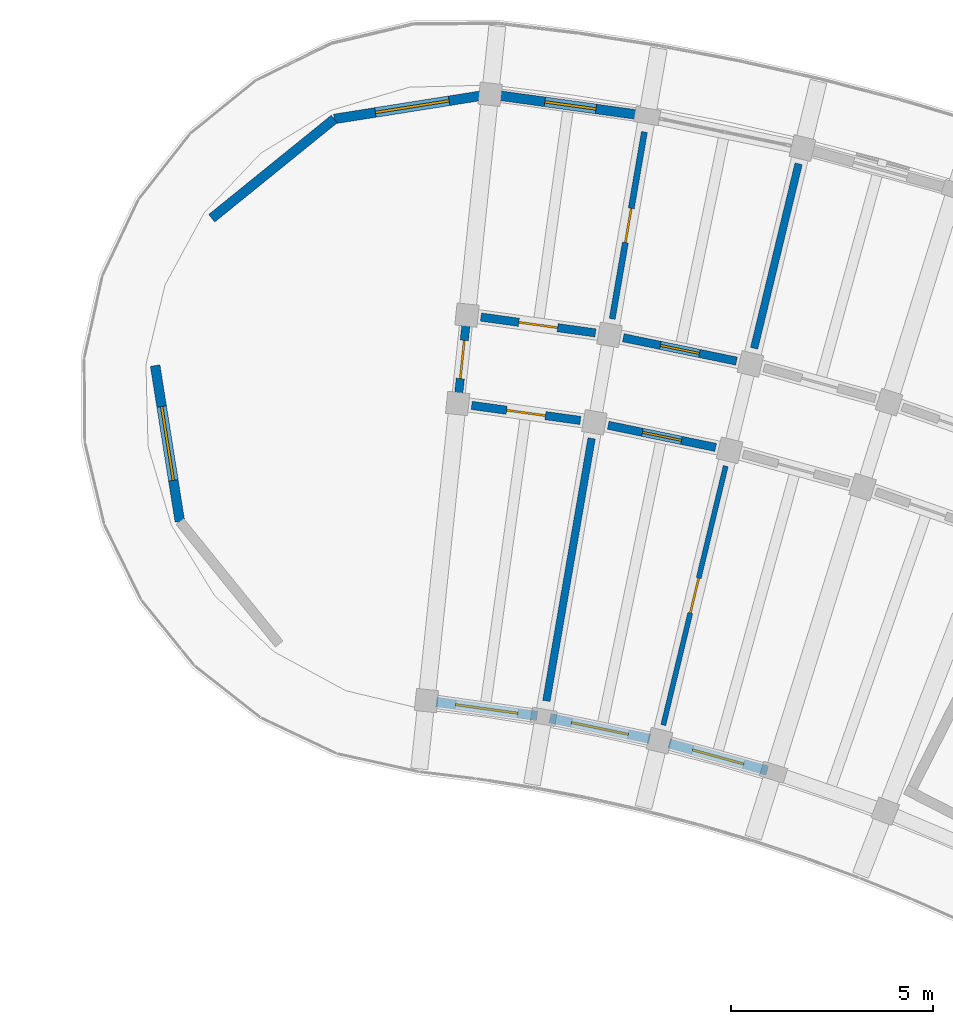
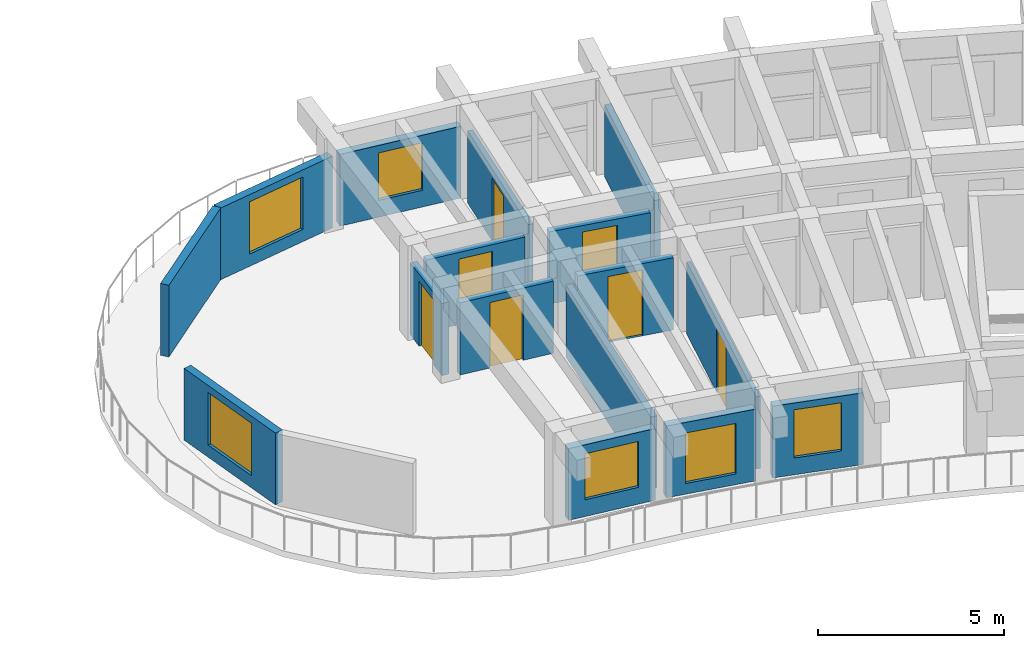
# One storey, part 65 of 96: 16 walls, 7 doors, 6 windows, 13 openings.
"""IFC4 building model written with IfcOpenShell, lengths in metres."""

from ifc_helpers import new_model, si_unit, direction, frame, frame_2d, origin, place, context, subcontext, project, spatial, rectangle, extrude, material, layer, layer_set, type_object, element, fill, save


model = new_model("IFC4")

# Units and contexts
model_context = context("Model", 3, precision=1e-05, world=origin(), true_north=direction((0.0, 1.0)))
body_context = subcontext(model_context, "Body", "Model", "MODEL_VIEW")
ifc_project = project(units=[si_unit("LENGTHUNIT", "METRE"), si_unit("AREAUNIT", "SQUARE_METRE"), si_unit("VOLUMEUNIT", "CUBIC_METRE"), si_unit("PLANEANGLEUNIT", "RADIAN"), si_unit("MASSUNIT", "GRAM", prefix="KILO")], contexts=[model_context])

# Site, building, storey
site_placement = place(None, origin())
site = spatial("IfcSite", under=ifc_project, at=site_placement, CompositionType="ELEMENT")
building_placement = place(site_placement, origin())
building = spatial("IfcBuilding", under=site, at=building_placement, Name="Tanwirah Colonnade Gardens", CompositionType="ELEMENT")
storey_placement = place(building_placement, frame((0.0, 0.0, 12.199951171875)))
storey = spatial("IfcBuildingStorey", under=building, at=storey_placement, Name="L03", CompositionType="ELEMENT", Elevation=12.199951171875)

# Wall, opening, window
ifc_material_1 = material(Name="Limestone architectural precast concrete C40/50", Category="masonry")
ifc_layer_1 = layer(ifc_material_1, 0.239990234375)
ifc_layer_set_1 = layer_set([ifc_layer_1], Name="Limestone architectural precast concrete C40/50")
wall_type_1 = type_object("IfcWallType", Name="EW-PC240", PredefinedType="SOLIDWALL", material=ifc_layer_set_1)
wall_1_placement = place(storey_placement, frame((134.0888671875, 102.674072265625, 0.0), z_axis=(0.0, 0.0, 1.0), x_axis=(-0.963901971286, 0.266257375017, 0.0)))
wall_1 = element("IfcWall", 1, at=wall_1_placement, inside=storey, type_object=wall_type_1, Name="Block B L03 IN Precast Facade Wall 15", PredefinedType="SOLIDWALL", context=body_context, shape_type="SweptSolid", body=[
    extrude(rectangle(XDim=2.525146484375, YDim=0.239990234375, at=frame_2d((1.2626953125, 0.0))), origin(), (0.0, 0.0, 1.0), 2.35498046875),
])
opening_1_placement = place(wall_1_placement, frame((0.6025390625, 0.0, 0.550048828125)))
opening_1 = element("IfcOpeningElement", 2, at=opening_1_placement, cuts=wall_1, Name="Opening WIN-U05", PredefinedType="OPENING", context=body_context, shape_type="SweptSolid", body=[
    extrude(rectangle(XDim=1.320068359375, YDim=1.5849609375, at=frame_2d((0.66015625, 0.79248046875))), frame((0.0, 0.1298828125, 0.0), z_axis=(0.0, -1.0, 0.0), x_axis=(1.0, 0.0, 0.0)), (0.0, 0.0, 1.0), 0.260009765625),
])
ifc_material_2 = material(Name="Thermally broken bronze aluminium and solar low-E double glazing", Category="aluminium")
window_type_1 = type_object("IfcWindowType", Name="WIN-U05", PartitioningType="DOUBLE_PANEL_VERTICAL", PredefinedType="WINDOW", material=ifc_material_2)
window_1_placement = place(opening_1_placement, origin())
window_1 = element("IfcWindow", 3, at=window_1_placement, inside=storey, type_object=window_type_1, Name="Facade window B-L03-IN-15", OverallHeight=1.5849609375, OverallWidth=1.320068359375, PartitioningType="SINGLE_PANEL", PredefinedType="WINDOW", context=body_context, shape_type="SweptSolid", body=[
    extrude(rectangle(XDim=1.320068359375, YDim=1.5849609375, at=frame_2d((0.66015625, 0.79248046875))), frame((0.0, 0.030029296875, 0.0), z_axis=(0.0, -1.0, 0.0), x_axis=(1.0, 0.0, 0.0)), (0.0, 0.0, 1.0), 0.06005859375),
])
fill(opening_1, window_1)

wall_2_placement = place(storey_placement, frame((131.1787109375, 103.46142578125, 0.0), z_axis=(0.0, 0.0, 1.0), x_axis=(-0.979353576928, 0.202154820272, 0.0)))
wall_2 = element("IfcWall", 4, at=wall_2_placement, inside=storey, type_object=wall_type_1, Name="Block B L03 IN Precast Facade Wall 16", PredefinedType="SOLIDWALL", context=body_context, shape_type="SweptSolid", body=[
    extrude(rectangle(XDim=2.525390625, YDim=0.239990234375, at=frame_2d((1.2626953125, 0.0))), origin(), (0.0, 0.0, 1.0), 2.35498046875),
])
opening_2_placement = place(wall_2_placement, frame((0.54248046875, 0.0, 0.35009765625)))
opening_2 = element("IfcOpeningElement", 5, at=opening_2_placement, cuts=wall_2, Name="Opening WIN-U08", PredefinedType="OPENING", context=body_context, shape_type="SweptSolid", body=[
    extrude(rectangle(XDim=1.43994140625, YDim=1.659912109375, at=frame_2d((0.719970703125, 0.830078125))), frame((0.0, 0.1298828125, 0.0), z_axis=(0.0, -1.0, 0.0), x_axis=(1.0, 0.0, 0.0)), (0.0, 0.0, 1.0), 0.260009765625),
])
window_type_2 = type_object("IfcWindowType", Name="WIN-U08", PartitioningType="DOUBLE_PANEL_VERTICAL", PredefinedType="WINDOW", material=ifc_material_2)
window_2_placement = place(opening_2_placement, origin())
window_2 = element("IfcWindow", 6, at=window_2_placement, inside=storey, type_object=window_type_2, Name="Facade window B-L03-IN-16", OverallHeight=1.659912109375, OverallWidth=1.43994140625, PartitioningType="SINGLE_PANEL", PredefinedType="WINDOW", context=body_context, shape_type="SweptSolid", body=[
    extrude(rectangle(XDim=1.43994140625, YDim=1.659912109375, at=frame_2d((0.719970703125, 0.830078125))), frame((0.0, 0.030029296875, 0.0), z_axis=(0.0, -1.0, 0.0), x_axis=(1.0, 0.0, 0.0)), (0.0, 0.0, 1.0), 0.06005859375),
])
fill(opening_2, window_2)

wall_3_placement = place(storey_placement, frame((130.954833984375, 118.906982421875, 0.0), z_axis=(0.0, 0.0, 1.0), x_axis=(-0.990539718913, 0.137226328578, 0.0)))
wall_3 = element("IfcWall", 7, at=wall_3_placement, inside=storey, type_object=wall_type_1, Name="Block B L03 OUT Precast Facade Wall 17", PredefinedType="SOLIDWALL", context=body_context, shape_type="SweptSolid", body=[
    extrude(rectangle(XDim=3.520751953125, YDim=0.239990234375, at=frame_2d((1.76025390625, 0.0))), origin(), (0.0, 0.0, 1.0), 2.35498046875),
])
opening_3_placement = place(wall_3_placement, frame((1.120361328125, 0.0, 0.550048828125)))
opening_3 = element("IfcOpeningElement", 8, at=opening_3_placement, cuts=wall_3, Name="Opening WIN-U04", PredefinedType="OPENING", context=body_context, shape_type="SweptSolid", body=[
    extrude(rectangle(XDim=1.280029296875, YDim=1.56005859375, at=frame_2d((0.64013671875, 0.780029296875))), frame((0.0, 0.1298828125, 0.0), z_axis=(0.0, -1.0, 0.0), x_axis=(1.0, 0.0, 0.0)), (0.0, 0.0, 1.0), 0.260009765625),
])
window_type_3 = type_object("IfcWindowType", Name="WIN-U04", PartitioningType="DOUBLE_PANEL_VERTICAL", PredefinedType="WINDOW", material=ifc_material_2)
window_3_placement = place(opening_3_placement, origin())
window_3 = element("IfcWindow", 9, at=window_3_placement, inside=storey, type_object=window_type_3, Name="Facade window B-L03-OUT-17", OverallHeight=1.56005859375, OverallWidth=1.280029296875, PartitioningType="SINGLE_PANEL", PredefinedType="WINDOW", context=body_context, shape_type="SweptSolid", body=[
    extrude(rectangle(XDim=1.280029296875, YDim=1.56005859375, at=frame_2d((0.64013671875, 0.780029296875))), frame((0.0, 0.030029296875, 0.0), z_axis=(0.0, -1.0, 0.0), x_axis=(1.0, 0.0, 0.0)), (0.0, 0.0, 1.0), 0.06005859375),
])
fill(opening_3, window_3)

wall_4_placement = place(storey_placement, frame((128.390380859375, 104.0263671875, 0.0), z_axis=(0.0, 0.0, 1.0), x_axis=(-0.990545622952, 0.13718370476, 0.0)))
wall_4 = element("IfcWall", 10, at=wall_4_placement, inside=storey, type_object=wall_type_1, Name="Block B L03 IN Precast Facade Wall 17", PredefinedType="SOLIDWALL", context=body_context, shape_type="SweptSolid", body=[
    extrude(rectangle(XDim=2.525390625, YDim=0.239990234375, at=frame_2d((1.2626953125, 0.0))), origin(), (0.0, 0.0, 1.0), 2.35498046875),
])
opening_4_placement = place(wall_4_placement, frame((0.482666015625, 0.0, 0.550048828125)))
opening_4 = element("IfcOpeningElement", 11, at=opening_4_placement, cuts=wall_4, Name="Opening WIN-U11", PredefinedType="OPENING", context=body_context, shape_type="SweptSolid", body=[
    extrude(rectangle(XDim=1.56005859375, YDim=1.510009765625, at=frame_2d((0.780029296875, 0.7548828125))), frame((0.0, 0.1298828125, 0.0), z_axis=(0.0, -1.0, 0.0), x_axis=(1.0, 0.0, 0.0)), (0.0, 0.0, 1.0), 0.260009765625),
])
window_type_4 = type_object("IfcWindowType", Name="WIN-U11", PartitioningType="DOUBLE_PANEL_VERTICAL", PredefinedType="WINDOW", material=ifc_material_2)
window_4_placement = place(opening_4_placement, origin())
window_4 = element("IfcWindow", 12, at=window_4_placement, inside=storey, type_object=window_type_4, Name="Facade window B-L03-IN-17", OverallHeight=1.510009765625, OverallWidth=1.56005859375, PartitioningType="SINGLE_PANEL", PredefinedType="WINDOW", context=body_context, shape_type="SweptSolid", body=[
    extrude(rectangle(XDim=1.56005859375, YDim=1.510009765625, at=frame_2d((0.780029296875, 0.7548828125))), frame((0.0, 0.030029296875, 0.0), z_axis=(0.0, -1.0, 0.0), x_axis=(1.0, 0.0, 0.0)), (0.0, 0.0, 1.0), 0.06005859375),
])
fill(opening_4, window_4)

wall_5_placement = place(storey_placement, frame((119.538330078125, 108.84423828125, 0.0), z_axis=(0.0, 0.0, 1.0), x_axis=(-0.15648221771, 0.987680776132, 0.0)))
wall_5 = element("IfcWall", 13, at=wall_5_placement, inside=storey, type_object=wall_type_1, Name="Block B L03 END Rounded End Wall 2", PredefinedType="SOLIDWALL", context=body_context, shape_type="SweptSolid", body=[
    extrude(rectangle(XDim=3.908203125, YDim=0.239990234375, at=frame_2d((1.9541015625, 0.0))), origin(), (0.0, 0.0, 1.0), 2.35498046875),
])
opening_5_placement = place(wall_5_placement, frame((1.029052734375, 0.0, 0.39990234375)))
opening_5 = element("IfcOpeningElement", 14, at=opening_5_placement, cuts=wall_5, Name="Opening WIN-END1", PredefinedType="OPENING", context=body_context, shape_type="SweptSolid", body=[
    extrude(rectangle(XDim=1.85009765625, YDim=1.719970703125, at=frame_2d((0.925048828125, 0.85986328125))), frame((0.0, 0.1298828125, 0.0), z_axis=(0.0, -1.0, 0.0), x_axis=(1.0, 0.0, 0.0)), (0.0, 0.0, 1.0), 0.260009765625),
])
window_type_5 = type_object("IfcWindowType", Name="WIN-END1", PartitioningType="TRIPLE_PANEL_VERTICAL", PredefinedType="WINDOW", material=ifc_material_2)
window_5_placement = place(opening_5_placement, origin())
window_5 = element("IfcWindow", 15, at=window_5_placement, inside=storey, type_object=window_type_5, Name="Rounded corner window B-L03-END-2", OverallHeight=1.719970703125, OverallWidth=1.85009765625, PartitioningType="SINGLE_PANEL", PredefinedType="WINDOW", context=body_context, shape_type="SweptSolid", body=[
    extrude(rectangle(XDim=1.85009765625, YDim=1.719970703125, at=frame_2d((0.925048828125, 0.85986328125))), frame((0.0, 0.030029296875, 0.0), z_axis=(0.0, -1.0, 0.0), x_axis=(1.0, 0.0, 0.0)), (0.0, 0.0, 1.0), 0.06005859375),
])
fill(opening_5, window_5)

# Wall
wall_6_placement = place(storey_placement, frame((120.327392578125, 116.35302734375, 0.0), z_axis=(0.0, 0.0, 1.0), x_axis=(0.777137204109, 0.629331205321, 0.0)))
element("IfcWall", 16, at=wall_6_placement, inside=storey, type_object=wall_type_1, Name="Block B L03 END Rounded End Wall 4", PredefinedType="SOLIDWALL", context=body_context, shape_type="SweptSolid", body=[
    extrude(rectangle(XDim=3.907958984375, YDim=0.239990234375, at=frame_2d((1.9541015625, 0.0))), origin(), (0.0, 0.0, 1.0), 2.35498046875),
])

# Wall, opening, window
wall_7_placement = place(storey_placement, frame((123.364501953125, 118.8125, 0.0), z_axis=(0.0, 0.0, 1.0), x_axis=(0.987690429048, 0.156421278498, 0.0)))
wall_7 = element("IfcWall", 17, at=wall_7_placement, inside=storey, type_object=wall_type_1, Name="Block B L03 END Rounded End Wall 5", PredefinedType="SOLIDWALL", context=body_context, shape_type="SweptSolid", body=[
    extrude(rectangle(XDim=3.908203125, YDim=0.239990234375, at=frame_2d((1.9541015625, 0.0))), origin(), (0.0, 0.0, 1.0), 2.35498046875),
])
opening_6_placement = place(wall_7_placement, frame((1.029052734375, 0.0, 0.39990234375)))
opening_6 = element("IfcOpeningElement", 18, at=opening_6_placement, cuts=wall_7, Name="Opening WIN-END1", PredefinedType="OPENING", context=body_context, shape_type="SweptSolid", body=[
    extrude(rectangle(XDim=1.85009765625, YDim=1.719970703125, at=frame_2d((0.925048828125, 0.85986328125))), frame((0.0, 0.1298828125, 0.0), z_axis=(0.0, -1.0, 0.0), x_axis=(1.0, 0.0, 0.0)), (0.0, 0.0, 1.0), 0.260009765625),
])
window_6_placement = place(opening_6_placement, origin())
window_6 = element("IfcWindow", 19, at=window_6_placement, inside=storey, type_object=window_type_5, Name="Rounded corner window B-L03-END-5", OverallHeight=1.719970703125, OverallWidth=1.85009765625, PartitioningType="SINGLE_PANEL", PredefinedType="WINDOW", context=body_context, shape_type="SweptSolid", body=[
    extrude(rectangle(XDim=1.85009765625, YDim=1.719970703125, at=frame_2d((0.925048828125, 0.85986328125))), frame((0.0, 0.030029296875, 0.0), z_axis=(0.0, -1.0, 0.0), x_axis=(1.0, 0.0, 0.0)), (0.0, 0.0, 1.0), 0.06005859375),
])
fill(opening_6, window_6)

# Wall, opening, door
ifc_material_3 = material(Name="Precast concrete C40/50", Category="concrete")
ifc_layer_2 = layer(ifc_material_3, 0.205078125)
ifc_layer_set_2 = layer_set([ifc_layer_2], Name="Precast concrete C40/50")
wall_type_2 = type_object("IfcWallType", Name="IW-CORR205", PredefinedType="PARTITIONING", material=ifc_layer_set_2)
wall_8_placement = place(storey_placement, frame((133.325927734375, 112.815185546875, 0.0), z_axis=(0.0, 0.0, 1.0), x_axis=(-0.979348418612, 0.202179808492, 0.0)))
wall_8 = element("IfcWall", 20, at=wall_8_placement, inside=storey, type_object=wall_type_2, Name="Block B L03 OUT Corridor Wall 16", PredefinedType="PARTITIONING", context=body_context, shape_type="SweptSolid", body=[
    extrude(rectangle(XDim=2.863037109375, YDim=0.205078125, at=frame_2d((1.431640625, 0.0))), origin(), (0.0, 0.0, 1.0), 2.3701171875),
])
opening_7_placement = place(wall_8_placement, frame((0.9365234375, 0.0, 0.0)))
opening_7 = element("IfcOpeningElement", 21, at=opening_7_placement, cuts=wall_8, Name="Opening L03-AD953", PredefinedType="OPENING", context=body_context, shape_type="SweptSolid", body=[
    extrude(rectangle(XDim=0.989990234375, YDim=2.159912109375, at=frame_2d((0.4951171875, 1.080078125))), frame((0.0, 0.112548828125, 0.0), z_axis=(0.0, -1.0, 0.0), x_axis=(1.0, 0.0, 0.0)), (0.0, 0.0, 1.0), 0.22509765625),
])
ifc_material_4 = material(Name="Solid oak fire-resisting apartment entrance door")
door_type_1 = type_object("IfcDoorType", Name="ID-FLT099", OperationType="NOTDEFINED", PredefinedType="DOOR", material=ifc_material_4)
door_1_placement = place(opening_7_placement, origin())
door_1 = element("IfcDoor", 22, at=door_1_placement, inside=storey, type_object=door_type_1, Name="Apartment corridor door L03-AD953", OperationType="SINGLE_SWING_RIGHT", OverallHeight=2.159912109375, OverallWidth=0.989990234375, PredefinedType="DOOR", context=body_context, shape_type="SweptSolid", body=[
    extrude(rectangle(XDim=0.989990234375, YDim=2.159912109375, at=frame_2d((0.4951171875, 1.080078125))), frame((0.0, 0.02490234375, 0.0), z_axis=(0.0, -1.0, 0.0), x_axis=(1.0, 0.0, 0.0)), (0.0, 0.0, 1.0), 0.050048828125),
])
fill(opening_7, door_1)

wall_9_placement = place(storey_placement, frame((132.810302734375, 110.676513671875, 0.0), z_axis=(0.0, 0.0, 1.0), x_axis=(-0.979349423541, 0.202174940608, 0.0)))
wall_9 = element("IfcWall", 23, at=wall_9_placement, inside=storey, type_object=wall_type_2, Name="Block B L03 IN Corridor Wall 16", PredefinedType="PARTITIONING", context=body_context, shape_type="SweptSolid", body=[
    extrude(rectangle(XDim=2.71826171875, YDim=0.205078125, at=frame_2d((1.359130859375, 0.0))), origin(), (0.0, 0.0, 1.0), 2.3701171875),
])
opening_8_placement = place(wall_9_placement, frame((0.864013671875, 0.0, 0.0)))
opening_8 = element("IfcOpeningElement", 24, at=opening_8_placement, cuts=wall_9, Name="Opening L03-AD954", PredefinedType="OPENING", context=body_context, shape_type="SweptSolid", body=[
    extrude(rectangle(XDim=0.989990234375, YDim=2.159912109375, at=frame_2d((0.4951171875, 1.080078125))), frame((0.0, 0.112548828125, 0.0), z_axis=(0.0, -1.0, 0.0), x_axis=(1.0, 0.0, 0.0)), (0.0, 0.0, 1.0), 0.22509765625),
])
door_2_placement = place(opening_8_placement, origin())
door_2 = element("IfcDoor", 25, at=door_2_placement, inside=storey, type_object=door_type_1, Name="Apartment corridor door L03-AD954", OperationType="SINGLE_SWING_LEFT", OverallHeight=2.159912109375, OverallWidth=0.989990234375, PredefinedType="DOOR", context=body_context, shape_type="SweptSolid", body=[
    extrude(rectangle(XDim=0.989990234375, YDim=2.159912109375, at=frame_2d((0.4951171875, 1.080078125))), frame((0.0, 0.02490234375, 0.0), z_axis=(0.0, -1.0, 0.0), x_axis=(1.0, 0.0, 0.0)), (0.0, 0.0, 1.0), 0.050048828125),
])
fill(opening_8, door_2)

wall_10_placement = place(storey_placement, frame((129.83251953125, 113.512939453125, 0.0), z_axis=(0.0, 0.0, 1.0), x_axis=(-0.990544162976, 0.137194246211, 0.0)))
wall_10 = element("IfcWall", 26, at=wall_10_placement, inside=storey, type_object=wall_type_2, Name="Block B L03 OUT Corridor Wall 17", PredefinedType="PARTITIONING", context=body_context, shape_type="SweptSolid", body=[
    extrude(rectangle(XDim=2.86328125, YDim=0.205078125, at=frame_2d((1.431640625, 0.0))), origin(), (0.0, 0.0, 1.0), 2.3701171875),
])
opening_9_placement = place(wall_10_placement, frame((0.946533203125, 0.0, 0.0)))
opening_9 = element("IfcOpeningElement", 27, at=opening_9_placement, cuts=wall_10, Name="Opening L03-AD956", PredefinedType="OPENING", context=body_context, shape_type="SweptSolid", body=[
    extrude(rectangle(XDim=0.969970703125, YDim=2.14990234375, at=frame_2d((0.48486328125, 1.074951171875))), frame((0.0, 0.112548828125, 0.0), z_axis=(0.0, -1.0, 0.0), x_axis=(1.0, 0.0, 0.0)), (0.0, 0.0, 1.0), 0.22509765625),
])
door_type_2 = type_object("IfcDoorType", Name="ID-FLT097", OperationType="NOTDEFINED", PredefinedType="DOOR", material=ifc_material_4)
door_3_placement = place(opening_9_placement, origin())
door_3 = element("IfcDoor", 28, at=door_3_placement, inside=storey, type_object=door_type_2, Name="Apartment corridor door L03-AD956", OperationType="SINGLE_SWING_LEFT", OverallHeight=2.14990234375, OverallWidth=0.969970703125, PredefinedType="DOOR", context=body_context, shape_type="SweptSolid", body=[
    extrude(rectangle(XDim=0.969970703125, YDim=2.14990234375, at=frame_2d((0.48486328125, 1.074951171875))), frame((0.0, 0.02490234375, 0.0), z_axis=(0.0, -1.0, 0.0), x_axis=(1.0, 0.0, 0.0)), (0.0, 0.0, 1.0), 0.050048828125),
])
fill(opening_9, door_3)

wall_11_placement = place(storey_placement, frame((129.458740234375, 111.344970703125, 0.0), z_axis=(0.0, 0.0, 1.0), x_axis=(-0.990535404475, 0.137257467855, 0.0)))
wall_11 = element("IfcWall", 29, at=wall_11_placement, inside=storey, type_object=wall_type_2, Name="Block B L03 IN Corridor Wall 17", PredefinedType="PARTITIONING", context=body_context, shape_type="SweptSolid", body=[
    extrude(rectangle(XDim=2.7177734375, YDim=0.205078125, at=frame_2d((1.35888671875, 0.0))), origin(), (0.0, 0.0, 1.0), 2.3701171875),
])
opening_10_placement = place(wall_11_placement, frame((0.8740234375, 0.0, 0.0)))
opening_10 = element("IfcOpeningElement", 30, at=opening_10_placement, cuts=wall_11, Name="Opening L03-AD957", PredefinedType="OPENING", context=body_context, shape_type="SweptSolid", body=[
    extrude(rectangle(XDim=0.969970703125, YDim=2.14990234375, at=frame_2d((0.48486328125, 1.074951171875))), frame((0.0, 0.112548828125, 0.0), z_axis=(0.0, -1.0, 0.0), x_axis=(1.0, 0.0, 0.0)), (0.0, 0.0, 1.0), 0.22509765625),
])
door_4_placement = place(opening_10_placement, origin())
door_4 = element("IfcDoor", 31, at=door_4_placement, inside=storey, type_object=door_type_2, Name="Apartment corridor door L03-AD957", OperationType="SINGLE_SWING_RIGHT", OverallHeight=2.14990234375, OverallWidth=0.969970703125, PredefinedType="DOOR", context=body_context, shape_type="SweptSolid", body=[
    extrude(rectangle(XDim=0.969970703125, YDim=2.14990234375, at=frame_2d((0.48486328125, 1.074951171875))), frame((0.0, 0.02490234375, 0.0), z_axis=(0.0, -1.0, 0.0), x_axis=(1.0, 0.0, 0.0)), (0.0, 0.0, 1.0), 0.050048828125),
])
fill(opening_10, door_4)

wall_12_placement = place(storey_placement, frame((126.425048828125, 111.815673828125, 0.0), z_axis=(0.0, 0.0, 1.0), x_axis=(0.104509292252, 0.994523910136, 0.0)))
wall_12 = element("IfcWall", 32, at=wall_12_placement, inside=storey, type_object=wall_type_2, Name="Block B L03 CE Corner Suite Corridor Wall", PredefinedType="PARTITIONING", context=body_context, shape_type="SweptSolid", body=[
    extrude(rectangle(XDim=2.10009765625, YDim=0.205078125, at=frame_2d((1.050048828125, 0.0))), origin(), (0.0, 0.0, 1.0), 2.3701171875),
])
opening_11_placement = place(wall_12_placement, frame((0.570068359375, 0.0, 0.0)))
opening_11 = element("IfcOpeningElement", 33, at=opening_11_placement, cuts=wall_12, Name="Opening L03-CD959", PredefinedType="OPENING", context=body_context, shape_type="SweptSolid", body=[
    extrude(rectangle(XDim=0.949951171875, YDim=2.1298828125, at=frame_2d((0.47509765625, 1.06494140625))), frame((0.0, 0.112548828125, 0.0), z_axis=(0.0, -1.0, 0.0), x_axis=(1.0, 0.0, 0.0)), (0.0, 0.0, 1.0), 0.22509765625),
])
door_type_3 = type_object("IfcDoorType", Name="ID-FLT095", OperationType="NOTDEFINED", PredefinedType="DOOR", material=ifc_material_4)
door_5_placement = place(opening_11_placement, origin())
door_5 = element("IfcDoor", 34, at=door_5_placement, inside=storey, type_object=door_type_3, Name="Corner suite entrance door L03-CD959", OperationType="SINGLE_SWING_RIGHT", OverallHeight=2.1298828125, OverallWidth=0.949951171875, PredefinedType="DOOR", context=body_context, shape_type="SweptSolid", body=[
    extrude(rectangle(XDim=0.949951171875, YDim=2.1298828125, at=frame_2d((0.47509765625, 1.06494140625))), frame((0.0, 0.02490234375, 0.0), z_axis=(0.0, -1.0, 0.0), x_axis=(1.0, 0.0, 0.0)), (0.0, 0.0, 1.0), 0.050048828125),
])
fill(opening_11, door_5)

# Walls
ifc_layer_3 = layer(ifc_material_3, 0.18505859375)
ifc_layer_set_3 = layer_set([ifc_layer_3], Name="Precast concrete C40/50")
wall_type_3 = type_object("IfcWallType", Name="IW-DEM185", PredefinedType="PARTITIONING", material=ifc_layer_set_3)
wall_13_placement = place(storey_placement, frame((133.762451171875, 113.13330078125, 0.0), z_axis=(0.0, 0.0, 1.0), x_axis=(0.234386624934, 0.972143461662, 0.0)))
element("IfcWall", 35, at=wall_13_placement, inside=storey, type_object=wall_type_3, Name="Block B L03 Radial Partition 15", PredefinedType="PARTITIONING", context=body_context, shape_type="SweptSolid", body=[
    extrude(rectangle(XDim=4.69970703125, YDim=0.18505859375, at=frame_2d((2.349853515625, 0.0))), origin(), (0.0, 0.0, 1.0), 2.3701171875),
])
wall_14_placement = place(storey_placement, frame((128.61669921875, 104.3984375, 0.0), z_axis=(0.0, 0.0, 1.0), x_axis=(0.169825160084, 0.985474208187, 0.0)))
element("IfcWall", 36, at=wall_14_placement, inside=storey, type_object=wall_type_3, Name="Block B L03 Inner Radial Partition 16", PredefinedType="PARTITIONING", context=body_context, shape_type="SweptSolid", body=[
    extrude(rectangle(XDim=6.60009765625, YDim=0.18505859375, at=frame_2d((3.300048828125, 0.0))), origin(), (0.0, 0.0, 1.0), 2.3701171875),
])

# Wall, opening, door
ifc_material_5 = material(Name="Moisture-resistant gypsum stud partition")
ifc_layer_4 = layer(ifc_material_5, 0.125)
ifc_layer_set_4 = layer_set([ifc_layer_4], Name="Moisture-resistant gypsum stud partition")
wall_type_4 = type_object("IfcWallType", Name="IW-INT125", PredefinedType="PARTITIONING", material=ifc_layer_set_4)
wall_15_placement = place(storey_placement, frame((131.51220703125, 103.800537109375, 0.0), z_axis=(0.0, 0.0, 1.0), x_axis=(0.234406698576, 0.972138621629, 0.0)))
wall_15 = element("IfcWall", 37, at=wall_15_placement, inside=storey, type_object=wall_type_4, Name="Block B L03 Inner Radial Partition 15", PredefinedType="PARTITIONING", context=body_context, shape_type="SweptSolid", body=[
    extrude(rectangle(XDim=6.60009765625, YDim=0.125, at=frame_2d((3.300048828125, 0.0))), origin(), (0.0, 0.0, 1.0), 2.3701171875),
])
opening_12_placement = place(wall_15_placement, frame((2.85498046875, 0.0, 0.0)))
opening_12 = element("IfcOpeningElement", 38, at=opening_12_placement, cuts=wall_15, Name="Opening L03-RD952", PredefinedType="OPENING", context=body_context, shape_type="SweptSolid", body=[
    extrude(rectangle(XDim=0.889892578125, YDim=2.10009765625, at=frame_2d((0.44482421875, 1.050048828125))), frame((0.0, 0.072509765625, 0.0), z_axis=(0.0, -1.0, 0.0), x_axis=(1.0, 0.0, 0.0)), (0.0, 0.0, 1.0), 0.14501953125),
])
ifc_material_6 = material(Name="Painted hardwood bedroom door", Category="wood")
door_type_4 = type_object("IfcDoorType", Name="ID-RM089", OperationType="NOTDEFINED", PredefinedType="DOOR", material=ifc_material_6)
door_6_placement = place(opening_12_placement, origin())
door_6 = element("IfcDoor", 39, at=door_6_placement, inside=storey, type_object=door_type_4, Name="Internal apartment door L03-RD952", OperationType="SINGLE_SWING_RIGHT", OverallHeight=2.10009765625, OverallWidth=0.889892578125, PredefinedType="DOOR", context=body_context, shape_type="SweptSolid", body=[
    extrude(rectangle(XDim=0.889892578125, YDim=2.10009765625, at=frame_2d((0.44482421875, 1.050048828125))), frame((0.0, 0.02490234375, 0.0), z_axis=(0.0, -1.0, 0.0), x_axis=(1.0, 0.0, 0.0)), (0.0, 0.0, 1.0), 0.050048828125),
])
fill(opening_12, door_6)

ifc_material_7 = material(Name="Water-resistant acoustic plumbing partition")
ifc_layer_5 = layer(ifc_material_7, 0.14990234375)
ifc_layer_set_5 = layer_set([ifc_layer_5], Name="Water-resistant acoustic plumbing partition")
wall_type_5 = type_object("IfcWallType", Name="IW-WET150", PredefinedType="PLUMBINGWALL", material=ifc_layer_set_5)
wall_16_placement = place(storey_placement, frame((130.2470703125, 113.859130859375, 0.0), z_axis=(0.0, 0.0, 1.0), x_axis=(0.169812980219, 0.985476307046, 0.0)))
wall_16 = element("IfcWall", 40, at=wall_16_placement, inside=storey, type_object=wall_type_5, Name="Block B L03 Radial Partition 16", PredefinedType="PLUMBINGWALL", context=body_context, shape_type="SweptSolid", body=[
    extrude(rectangle(XDim=4.699951171875, YDim=0.14990234375, at=frame_2d((2.35009765625, 0.0))), origin(), (0.0, 0.0, 1.0), 2.3701171875),
])
opening_13_placement = place(wall_16_placement, frame((1.919921875, 0.0, 0.0)))
opening_13 = element("IfcOpeningElement", 41, at=opening_13_placement, cuts=wall_16, Name="Opening L03-RD955", PredefinedType="OPENING", context=body_context, shape_type="SweptSolid", body=[
    extrude(rectangle(XDim=0.860107421875, YDim=2.06005859375, at=frame_2d((0.43017578125, 1.030029296875))), frame((0.0, 0.0849609375, 0.0), z_axis=(0.0, -1.0, 0.0), x_axis=(1.0, 0.0, 0.0)), (0.0, 0.0, 1.0), 0.169921875),
])
ifc_material_8 = material(Name="Moisture-resistant bathroom door")
door_type_5 = type_object("IfcDoorType", Name="ID-WET086", OperationType="NOTDEFINED", PredefinedType="DOOR", material=ifc_material_8)
door_7_placement = place(opening_13_placement, origin())
door_7 = element("IfcDoor", 42, at=door_7_placement, inside=storey, type_object=door_type_5, Name="Internal apartment door L03-RD955", OperationType="SINGLE_SWING_RIGHT", OverallHeight=2.06005859375, OverallWidth=0.860107421875, PredefinedType="DOOR", context=body_context, shape_type="SweptSolid", body=[
    extrude(rectangle(XDim=0.860107421875, YDim=2.06005859375, at=frame_2d((0.43017578125, 1.030029296875))), frame((0.0, 0.02490234375, 0.0), z_axis=(0.0, -1.0, 0.0), x_axis=(1.0, 0.0, 0.0)), (0.0, 0.0, 1.0), 0.050048828125),
])
fill(opening_13, door_7)

save(model, "model.ifc")
